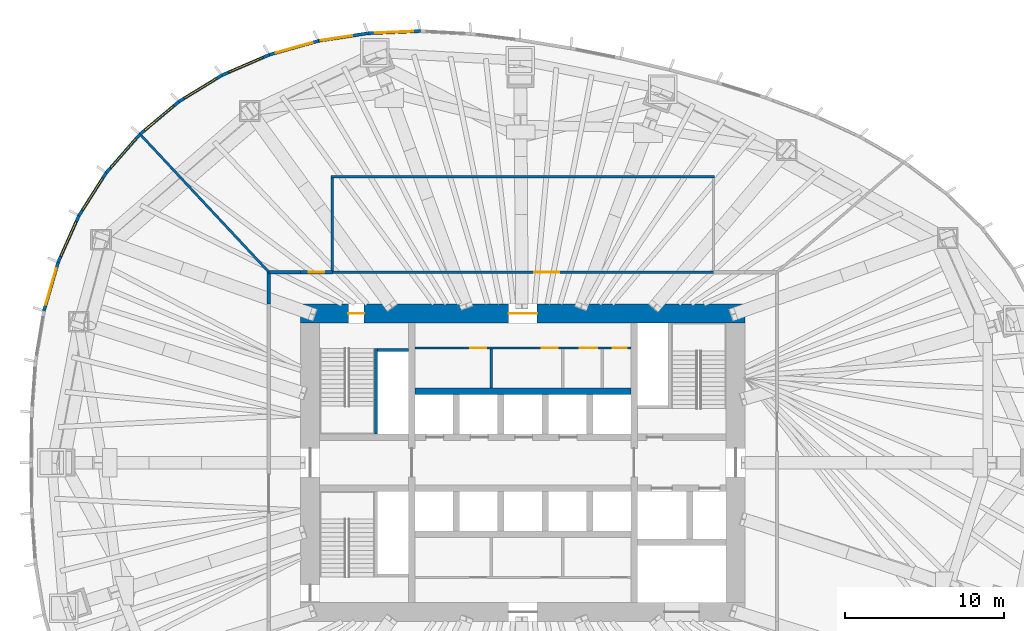
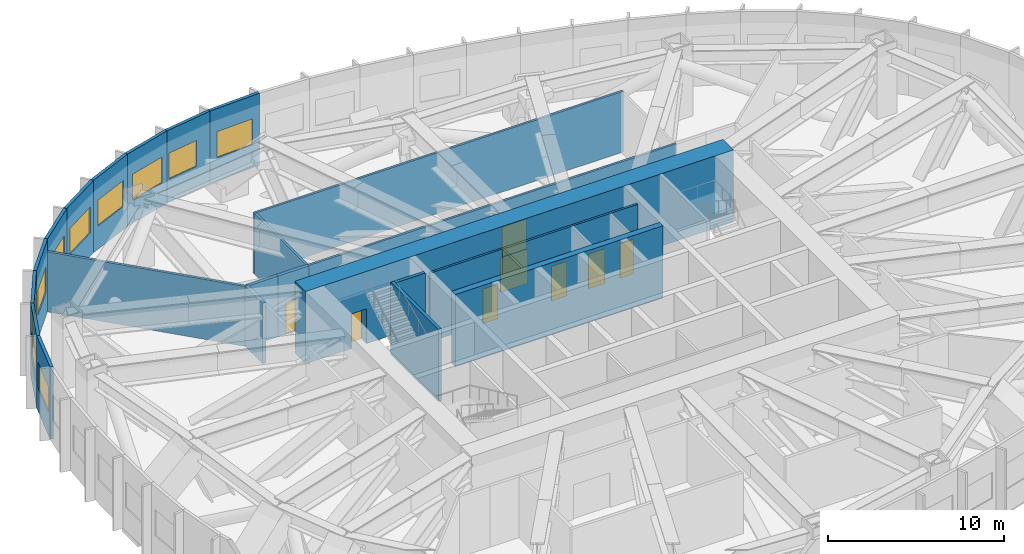
# One storey, part 9 of 12: 23 walls, 10 windows, 8 doors, 18 openings.
"""IFC4 building model written with IfcOpenShell, lengths in metres."""

from ifc_helpers import new_model, si_unit, direction, frame, frame_2d, origin, place, context, subcontext, project, spatial, rectangle, extrude, material, layer, layer_set, type_object, element, fill, save


model = new_model("IFC4")

# Units and contexts
model_context = context("Model", 3, precision=1e-05, world=origin(), true_north=direction((0.0, 1.0)))
body_context = subcontext(model_context, "Body", "Model", "MODEL_VIEW")
ifc_project = project(units=[si_unit("LENGTHUNIT", "METRE"), si_unit("AREAUNIT", "SQUARE_METRE"), si_unit("VOLUMEUNIT", "CUBIC_METRE"), si_unit("PLANEANGLEUNIT", "RADIAN"), si_unit("MASSUNIT", "GRAM", prefix="KILO")], contexts=[model_context])

# Site, building, storey
site_placement = place(None, origin())
site = spatial("IfcSite", under=ifc_project, at=site_placement, CompositionType="ELEMENT")
building_placement = place(site_placement, origin())
building = spatial("IfcBuilding", under=site, at=building_placement, Name="Ghaith Harvest Tower", CompositionType="ELEMENT")
storey_placement = place(building_placement, frame((0.0, 0.0, 100.0)))
storey = spatial("IfcBuildingStorey", under=building, at=storey_placement, Name="L20", CompositionType="ELEMENT", Elevation=100.0)

# Wall, opening, door
ifc_material_1 = material(Name="Concrete blockwork, 1-hour", Category="masonry")
ifc_layer_1 = layer(ifc_material_1, 0.215087890625)
ifc_layer_set_1 = layer_set([ifc_layer_1], Name="BLOCKWORK WALL 215")
wall_type_1 = type_object("IfcWallType", Name="BLOCKWORK WALL 215", PredefinedType="PARTITIONING", material=ifc_layer_set_1)
wall_1_placement = place(storey_placement, frame((-12.0, 12.0, 0.0), z_axis=(0.0, 0.0, 1.0), x_axis=(-1.0, 0.0, 0.0)))
wall_1 = element("IfcWall", 1, at=wall_1_placement, inside=storey, type_object=wall_type_1, Name="Plant room wall L20", PredefinedType="PARTITIONING", context=body_context, shape_type="SweptSolid", body=[
    extrude(rectangle(XDim=2.0, YDim=0.215087890625, at=frame_2d((1.0, 0.0))), origin(), (0.0, 0.0, 1.0), 4.199951171875),
])
opening_1_placement = place(wall_1_placement, frame((0.5, 0.0, 0.0)))
opening_1 = element("IfcOpeningElement", 2, at=opening_1_placement, cuts=wall_1, Name="Opening 20-027", PredefinedType="OPENING", context=body_context, shape_type="SweptSolid", body=[
    extrude(rectangle(XDim=1.0, YDim=2.199951171875, at=frame_2d((0.5, 1.10009765625))), frame((0.0, 0.11767578125, 0.0), z_axis=(0.0, -1.0, 0.0), x_axis=(1.0, 0.0, 0.0)), (0.0, 0.0, 1.0), 0.235107421875),
])
ifc_material_2 = material(Name="Timber door", Category="wood")
door_type_1 = type_object("IfcDoorType", Name="D1 SINGLE 1000x2200", OperationType="SINGLE_SWING_LEFT", PredefinedType="DOOR", material=ifc_material_2)
door_1_placement = place(opening_1_placement, origin())
door_1 = element("IfcDoor", 3, at=door_1_placement, inside=storey, type_object=door_type_1, Name="Air handling plant room north door", OperationType="SINGLE_SWING_LEFT", OverallHeight=2.199951171875, OverallWidth=1.0, PredefinedType="DOOR", context=body_context, shape_type="SweptSolid", body=[
    extrude(rectangle(XDim=1.0, YDim=2.199951171875, at=frame_2d((0.5, 1.10009765625))), frame((0.0, 0.02490234375, 0.0), z_axis=(0.0, -1.0, 0.0), x_axis=(1.0, 0.0, 0.0)), (0.0, 0.0, 1.0), 0.050048828125),
])
fill(opening_1, door_1)

# Walls
for number, where, z_axis, x_axis, name in (
    (4, (-14.0, 12.0, 0.0), (0.0, 0.0, 1.0), (-1.0, 0.0, 0.0), "Plant room wall L20"),
    (5, (-16.0, 12.0, 0.0), (0.0, 0.0, 1.0), (0.0, -1.0, 0.0), "Plant room wall L20"),
):
    element("IfcWall", number, at=place(storey_placement, frame(where, z_axis=z_axis, x_axis=x_axis)), inside=storey, type_object=wall_type_1, Name=name, PredefinedType="PARTITIONING", context=body_context, shape_type="SweptSolid", body=[
        extrude(rectangle(XDim=2.0, YDim=0.215087890625, at=frame_2d((1.0, 0.0))), origin(), (0.0, 0.0, 1.0), 4.199951171875),
    ])

# Wall, openings, doors
ifc_material_3 = material(Name="Concrete blockwork, fair-faced", Category="masonry")
ifc_layer_2 = layer(ifc_material_3, 0.139892578125)
ifc_layer_set_2 = layer_set([ifc_layer_2], Name="CORE PARTITION 140")
wall_type_2 = type_object("IfcWallType", Name="CORE PARTITION 140", PredefinedType="PARTITIONING", material=ifc_layer_set_2)
wall_2_placement = place(storey_placement, frame((-6.800048828125, 7.22998046875, 0.0), z_axis=(0.0, 0.0, 1.0), x_axis=(1.0, 0.0, 0.0)))
wall_2 = element("IfcWall", 6, at=wall_2_placement, inside=storey, type_object=wall_type_2, Name="Core partition L20", PredefinedType="PARTITIONING", context=body_context, shape_type="SweptSolid", body=[
    extrude(rectangle(XDim=13.60009765625, YDim=0.139892578125, at=frame_2d((6.800048828125, 0.0))), origin(), (0.0, 0.0, 1.0), 4.75),
])
opening_2_placement = place(wall_2_placement, frame((3.47998046875, 0.0, 0.0)))
opening_2 = element("IfcOpeningElement", 7, at=opening_2_placement, cuts=wall_2, Name="Opening 20-008", PredefinedType="OPENING", context=body_context, shape_type="SweptSolid", body=[
    extrude(rectangle(XDim=1.0, YDim=2.39990234375, at=frame_2d((0.5, 1.199951171875))), frame((0.0, 0.080078125, 0.0), z_axis=(0.0, -1.0, 0.0), x_axis=(1.0, 0.0, 0.0)), (0.0, 0.0, 1.0), 0.159912109375),
])
opening_3_placement = place(wall_2_placement, frame((7.97998046875, 0.0, 0.0)))
opening_3 = element("IfcOpeningElement", 8, at=opening_3_placement, cuts=wall_2, Name="Opening 20-009", PredefinedType="OPENING", context=body_context, shape_type="SweptSolid", body=[
    extrude(rectangle(XDim=1.0, YDim=2.39990234375, at=frame_2d((0.5, 1.199951171875))), frame((0.0, 0.080078125, 0.0), z_axis=(0.0, -1.0, 0.0), x_axis=(1.0, 0.0, 0.0)), (0.0, 0.0, 1.0), 0.159912109375),
])
opening_4_placement = place(wall_2_placement, frame((10.3798828125, 0.0, 0.0)))
opening_4 = element("IfcOpeningElement", 9, at=opening_4_placement, cuts=wall_2, Name="Opening 20-010", PredefinedType="OPENING", context=body_context, shape_type="SweptSolid", body=[
    extrude(rectangle(XDim=1.10009765625, YDim=2.39990234375, at=frame_2d((0.550048828125, 1.199951171875))), frame((0.0, 0.080078125, 0.0), z_axis=(0.0, -1.0, 0.0), x_axis=(1.0, 0.0, 0.0)), (0.0, 0.0, 1.0), 0.159912109375),
])
opening_5_placement = place(wall_2_placement, frame((12.449951171875, 0.0, 0.0)))
opening_5 = element("IfcOpeningElement", 10, at=opening_5_placement, cuts=wall_2, Name="Opening 20-011", PredefinedType="OPENING", context=body_context, shape_type="SweptSolid", body=[
    extrude(rectangle(XDim=0.89990234375, YDim=2.39990234375, at=frame_2d((0.449951171875, 1.199951171875))), frame((0.0, 0.080078125, 0.0), z_axis=(0.0, -1.0, 0.0), x_axis=(1.0, 0.0, 0.0)), (0.0, 0.0, 1.0), 0.159912109375),
])
ifc_material_4 = material(Name="Steel fire door", Category="steel")
door_type_2 = type_object("IfcDoorType", Name="D3 FD90 1000x2400", OperationType="SINGLE_SWING_LEFT", PredefinedType="DOOR", material=ifc_material_4)
door_2_placement = place(opening_2_placement, origin())
door_2 = element("IfcDoor", 11, at=door_2_placement, inside=storey, type_object=door_type_2, Name="Male WC door", OperationType="SINGLE_SWING_LEFT", OverallHeight=2.39990234375, OverallWidth=1.0, PredefinedType="DOOR", context=body_context, shape_type="SweptSolid", body=[
    extrude(rectangle(XDim=1.0, YDim=2.39990234375, at=frame_2d((0.5, 1.199951171875))), frame((0.0, 0.02490234375, 0.0), z_axis=(0.0, -1.0, 0.0), x_axis=(1.0, 0.0, 0.0)), (0.0, 0.0, 1.0), 0.050048828125),
])
fill(opening_2, door_2)
door_3_placement = place(opening_3_placement, origin())
door_3 = element("IfcDoor", 12, at=door_3_placement, inside=storey, type_object=door_type_2, Name="Female WC door", OperationType="SINGLE_SWING_RIGHT", OverallHeight=2.39990234375, OverallWidth=1.0, PredefinedType="DOOR", context=body_context, shape_type="SweptSolid", body=[
    extrude(rectangle(XDim=1.0, YDim=2.39990234375, at=frame_2d((0.5, 1.199951171875))), frame((0.0, 0.02490234375, 0.0), z_axis=(0.0, -1.0, 0.0), x_axis=(1.0, 0.0, 0.0)), (0.0, 0.0, 1.0), 0.050048828125),
])
fill(opening_3, door_3)
ifc_material_5 = material(Name="Steel fire door", Category="steel")
door_type_3 = type_object("IfcDoorType", Name="D5 FD90 900x2400", OperationType="SINGLE_SWING_LEFT", PredefinedType="DOOR", material=ifc_material_5)
door_4_placement = place(opening_5_placement, origin())
door_4 = element("IfcDoor", 13, at=door_4_placement, inside=storey, type_object=door_type_3, Name="Cleaner's store door", OperationType="SINGLE_SWING_RIGHT", OverallHeight=2.39990234375, OverallWidth=0.89990234375, PredefinedType="DOOR", context=body_context, shape_type="SweptSolid", body=[
    extrude(rectangle(XDim=0.89990234375, YDim=2.39990234375, at=frame_2d((0.449951171875, 1.199951171875))), frame((0.0, 0.02490234375, 0.0), z_axis=(0.0, -1.0, 0.0), x_axis=(1.0, 0.0, 0.0)), (0.0, 0.0, 1.0), 0.050048828125),
])
fill(opening_5, door_4)
ifc_material_6 = material(Name="Steel fire door", Category="steel")
door_type_4 = type_object("IfcDoorType", Name="D9 FD90 1100x2400", OperationType="SINGLE_SWING_LEFT", PredefinedType="DOOR", material=ifc_material_6)
door_5_placement = place(opening_4_placement, origin())
door_5 = element("IfcDoor", 14, at=door_5_placement, inside=storey, type_object=door_type_4, Name="Accessible WC door", OperationType="SINGLE_SWING_RIGHT", OverallHeight=2.39990234375, OverallWidth=1.10009765625, PredefinedType="DOOR", context=body_context, shape_type="SweptSolid", body=[
    extrude(rectangle(XDim=1.10009765625, YDim=2.39990234375, at=frame_2d((0.550048828125, 1.199951171875))), frame((0.0, 0.02490234375, 0.0), z_axis=(0.0, -1.0, 0.0), x_axis=(1.0, 0.0, 0.0)), (0.0, 0.0, 1.0), 0.050048828125),
])
fill(opening_4, door_5)

# Wall
wall_3_placement = place(storey_placement, frame((-2.0, 4.699951171875, 0.0), z_axis=(0.0, 0.0, 1.0), x_axis=(0.0, 1.0, 0.0)))
element("IfcWall", 15, at=wall_3_placement, inside=storey, type_object=wall_type_2, Name="Core partition L20", PredefinedType="PARTITIONING", context=body_context, shape_type="SweptSolid", body=[
    extrude(rectangle(XDim=2.4599609375, YDim=0.139892578125, at=frame_2d((1.22998046875, 0.0))), origin(), (0.0, 0.0, 1.0), 4.75),
])

# Wall, openings, doors
ifc_material_7 = material(Name="Concrete C70/85", Category="concrete")
ifc_layer_3 = layer(ifc_material_7, 1.199951171875)
ifc_layer_set_3 = layer_set([ifc_layer_3], Name="CORE WALL CW1200")
wall_type_3 = type_object("IfcWallType", Name="CORE WALL CW1200", PredefinedType="SHEAR", material=ifc_layer_set_3)
wall_4_placement = place(storey_placement, frame((14.0, 9.39990234375, 0.0), z_axis=(0.0, 0.0, 1.0), x_axis=(-1.0, 0.0, 0.0)))
wall_4 = element("IfcWall", 16, at=wall_4_placement, inside=storey, type_object=wall_type_3, Name="Core wall N L20", PredefinedType="SHEAR", context=body_context, shape_type="SweptSolid", body=[
    extrude(rectangle(XDim=28.0, YDim=1.199951171875, at=frame_2d((14.0, 0.0))), origin(), (0.0, 0.0, 1.0), 5.0),
])
opening_6_placement = place(wall_4_placement, frame((24.0, 0.0, 0.0)))
opening_6 = element("IfcOpeningElement", 17, at=opening_6_placement, cuts=wall_4, Name="Opening 20-005", PredefinedType="OPENING", context=body_context, shape_type="SweptSolid", body=[
    extrude(rectangle(XDim=1.0, YDim=2.39990234375, at=frame_2d((0.5, 1.199951171875))), frame((0.0, 0.60986328125, 0.0), z_axis=(0.0, -1.0, 0.0), x_axis=(1.0, 0.0, 0.0)), (0.0, 0.0, 1.0), 1.219970703125),
])
opening_7_placement = place(wall_4_placement, frame((13.10009765625, 0.0, 0.0)))
opening_7 = element("IfcOpeningElement", 18, at=opening_7_placement, cuts=wall_4, Name="Opening 20-015", PredefinedType="OPENING", context=body_context, shape_type="SweptSolid", body=[
    extrude(rectangle(XDim=1.800048828125, YDim=2.39990234375, at=frame_2d((0.89990234375, 1.199951171875))), frame((0.0, 0.60986328125, 0.0), z_axis=(0.0, -1.0, 0.0), x_axis=(1.0, 0.0, 0.0)), (0.0, 0.0, 1.0), 1.219970703125),
])
door_6_placement = place(opening_6_placement, origin())
door_6 = element("IfcDoor", 19, at=door_6_placement, inside=storey, type_object=door_type_2, Name="Stair ST1 door", OperationType="SINGLE_SWING_RIGHT", OverallHeight=2.39990234375, OverallWidth=1.0, PredefinedType="DOOR", context=body_context, shape_type="SweptSolid", body=[
    extrude(rectangle(XDim=1.0, YDim=2.39990234375, at=frame_2d((0.5, 1.199951171875))), frame((0.0, 0.02490234375, 0.0), z_axis=(0.0, -1.0, 0.0), x_axis=(1.0, 0.0, 0.0)), (0.0, 0.0, 1.0), 0.050048828125),
])
fill(opening_6, door_6)
ifc_material_8 = material(Name="Steel fire door", Category="steel")
door_type_5 = type_object("IfcDoorType", Name="D4 FD90 PAIR 1800x2400", OperationType="DOUBLE_DOOR_SINGLE_SWING", PredefinedType="DOOR", material=ifc_material_8)
door_7_placement = place(opening_7_placement, origin())
door_7 = element("IfcDoor", 20, at=door_7_placement, inside=storey, type_object=door_type_5, Name="Core service corridor doors", OperationType="DOUBLE_DOOR_SINGLE_SWING", OverallHeight=2.39990234375, OverallWidth=1.800048828125, PredefinedType="DOOR", context=body_context, shape_type="SweptSolid", body=[
    extrude(rectangle(XDim=1.800048828125, YDim=2.39990234375, at=frame_2d((0.89990234375, 1.199951171875))), frame((0.0, 0.02490234375, 0.0), z_axis=(0.0, -1.0, 0.0), x_axis=(1.0, 0.0, 0.0)), (0.0, 0.0, 1.0), 0.050048828125),
])
fill(opening_7, door_7)

# Wall, opening, door
ifc_material_9 = material(Name="Gypsum board on steel studs", Category="steel")
ifc_layer_4 = layer(ifc_material_9, 0.14990234375)
ifc_layer_set_4 = layer_set([ifc_layer_4], Name="PARTITION 150")
wall_type_4 = type_object("IfcWallType", Name="PARTITION 150", PredefinedType="PARTITIONING", material=ifc_layer_set_4)
wall_5_placement = place(storey_placement, frame((-12.074951171875, 12.0, 0.0), z_axis=(0.0, 0.0, 1.0), x_axis=(1.0, 0.0, 0.0)))
wall_5 = element("IfcWall", 21, at=wall_5_placement, inside=storey, type_object=wall_type_4, Name="Partition L20-01", PredefinedType="PARTITIONING", context=body_context, shape_type="SweptSolid", body=[
    extrude(rectangle(XDim=24.14990234375, YDim=0.14990234375, at=frame_2d((12.074951171875, 0.0))), origin(), (0.0, 0.0, 1.0), 4.199951171875),
])
opening_8_placement = place(wall_5_placement, frame((12.77490234375, 0.0, 0.0)))
opening_8 = element("IfcOpeningElement", 22, at=opening_8_placement, cuts=wall_5, Name="Opening 20-024", PredefinedType="OPENING", context=body_context, shape_type="SweptSolid", body=[
    extrude(rectangle(XDim=1.60009765625, YDim=2.39990234375, at=frame_2d((0.800048828125, 1.199951171875))), frame((0.0, 0.0849609375, 0.0), z_axis=(0.0, -1.0, 0.0), x_axis=(1.0, 0.0, 0.0)), (0.0, 0.0, 1.0), 0.169921875),
])
ifc_material_10 = material(Name="Timber door", Category="wood")
door_type_6 = type_object("IfcDoorType", Name="D2 PAIR 1600x2400", OperationType="DOUBLE_DOOR_SINGLE_SWING", PredefinedType="DOOR", material=ifc_material_10)
door_8_placement = place(opening_8_placement, origin())
door_8 = element("IfcDoor", 23, at=door_8_placement, inside=storey, type_object=door_type_6, Name="Refuge area door", OperationType="DOUBLE_DOOR_SINGLE_SWING", OverallHeight=2.39990234375, OverallWidth=1.60009765625, PredefinedType="DOOR", context=body_context, shape_type="SweptSolid", body=[
    extrude(rectangle(XDim=1.60009765625, YDim=2.39990234375, at=frame_2d((0.800048828125, 1.199951171875))), frame((0.0, 0.02490234375, 0.0), z_axis=(0.0, -1.0, 0.0), x_axis=(1.0, 0.0, 0.0)), (0.0, 0.0, 1.0), 0.050048828125),
])
fill(opening_8, door_8)

# Walls
wall_6_placement = place(storey_placement, frame((-12.074951171875, 18.0, 0.0), z_axis=(0.0, 0.0, 1.0), x_axis=(1.0, 0.0, 0.0)))
element("IfcWall", 24, at=wall_6_placement, inside=storey, type_object=wall_type_4, Name="Partition L20-01", PredefinedType="PARTITIONING", context=body_context, shape_type="SweptSolid", body=[
    extrude(rectangle(XDim=24.14990234375, YDim=0.14990234375, at=frame_2d((12.074951171875, 0.0))), origin(), (0.0, 0.0, 1.0), 4.199951171875),
])
wall_7_placement = place(storey_placement, frame((-12.0, 12.074951171875, 0.0), z_axis=(0.0, 0.0, 1.0), x_axis=(0.0, 1.0, 0.0)))
element("IfcWall", 25, at=wall_7_placement, inside=storey, type_object=wall_type_4, Name="Partition L20-01", PredefinedType="PARTITIONING", context=body_context, shape_type="SweptSolid", body=[
    extrude(rectangle(XDim=5.85009765625, YDim=0.14990234375, at=frame_2d((2.925048828125, 0.0))), origin(), (0.0, 0.0, 1.0), 4.199951171875),
])
ifc_material_11 = material(Name="Gypsum board on steel studs", Category="steel")
ifc_layer_5 = layer(ifc_material_11, 0.14990234375)
ifc_layer_set_5 = layer_set([ifc_layer_5], Name="PARTITION 150H")
wall_type_5 = type_object("IfcWallType", Name="PARTITION 150H", PredefinedType="PARTITIONING", material=ifc_layer_set_5)
wall_8_placement = place(storey_placement, frame((-16.013671875, 12.0146484375, 0.0), z_axis=(0.0, 0.0, 1.0), x_axis=(-0.682522513656, 0.730864569091, 0.0)))
element("IfcWall", 26, at=wall_8_placement, inside=storey, type_object=wall_type_5, Name="Partition L20 zone division", PredefinedType="PARTITIONING", context=body_context, shape_type="SweptSolid", body=[
    extrude(rectangle(XDim=11.751953125, YDim=0.14990234375, at=frame_2d((5.8759765625, 0.0))), origin(), (0.0, 0.0, 1.0), 4.14599609375),
])

# Wall, opening, window
ifc_material_12 = material(Name="Steel, black insulated metal cladding panel", Category="steel")
ifc_layer_6 = layer(ifc_material_12, 0.199951171875)
ifc_layer_set_6 = layer_set([ifc_layer_6], Name="PLANT ENCLOSURE WALL 200")
wall_type_6 = type_object("IfcWallType", Name="PLANT ENCLOSURE WALL 200", PredefinedType="SOLIDWALL", material=ifc_layer_set_6)
wall_9_placement = place(storey_placement, frame((-6.460693359375, 27.182373046875, 0.0), z_axis=(0.0, 0.0, 1.0), x_axis=(-0.999125000508, -0.041823837231, 0.0)))
wall_9 = element("IfcWall", 27, at=wall_9_placement, inside=storey, type_object=wall_type_6, Name="Plant enclosure wall 06.3 L20", PredefinedType="SOLIDWALL", context=body_context, shape_type="SweptSolid", body=[
    extrude(rectangle(XDim=3.309814453125, YDim=0.199951171875, at=frame_2d((1.65478515625, 0.0))), origin(), (0.0, 0.0, 1.0), 5.0),
])
opening_9_placement = place(wall_9_placement, frame((0.455078125, 0.0, 1.60009765625)))
opening_9 = element("IfcOpeningElement", 28, at=opening_9_placement, cuts=wall_9, Name="Opening LV1", PredefinedType="OPENING", context=body_context, shape_type="SweptSolid", body=[
    extrude(rectangle(XDim=2.39990234375, YDim=1.800048828125, at=frame_2d((1.199951171875, 0.89990234375))), frame((0.0, 0.10986328125, 0.0), z_axis=(0.0, -1.0, 0.0), x_axis=(1.0, 0.0, 0.0)), (0.0, 0.0, 1.0), 0.219970703125),
])
ifc_material_13 = material(Name="Aluminium louvre, black", Category="aluminium")
window_type_1 = type_object("IfcWindowType", Name="LOUVRE L1 2400x1800", PartitioningType="SINGLE_PANEL", PredefinedType="WINDOW", material=ifc_material_13)
window_1_placement = place(opening_9_placement, origin())
window_1 = element("IfcWindow", 29, at=window_1_placement, inside=storey, type_object=window_type_1, Name="Plant louvre 06.3 L20", OverallHeight=1.800048828125, OverallWidth=2.39990234375, PartitioningType="SINGLE_PANEL", PredefinedType="WINDOW", context=body_context, shape_type="SweptSolid", body=[
    extrude(rectangle(XDim=2.39990234375, YDim=1.800048828125, at=frame_2d((1.199951171875, 0.89990234375))), frame((0.0, 0.030029296875, 0.0), z_axis=(0.0, -1.0, 0.0), x_axis=(1.0, 0.0, 0.0)), (0.0, 0.0, 1.0), 0.06005859375),
])
fill(opening_9, window_1)

wall_10_placement = place(storey_placement, frame((-9.767578125, 27.0439453125, 0.0), z_axis=(0.0, 0.0, 1.0), x_axis=(-0.988396846799, -0.151893624746, 0.0)))
wall_10 = element("IfcWall", 30, at=wall_10_placement, inside=storey, type_object=wall_type_6, Name="Plant enclosure wall 07.1 L20", PredefinedType="SOLIDWALL", context=body_context, shape_type="SweptSolid", body=[
    extrude(rectangle(XDim=3.140625, YDim=0.199951171875, at=frame_2d((1.5703125, 0.0))), origin(), (0.0, 0.0, 1.0), 5.0),
])
opening_10_placement = place(wall_10_placement, frame((0.986572265625, 0.0, 1.60009765625)))
opening_10 = element("IfcOpeningElement", 31, at=opening_10_placement, cuts=wall_10, Name="Opening LV2", PredefinedType="OPENING", context=body_context, shape_type="SweptSolid", body=[
    extrude(rectangle(XDim=2.0, YDim=1.800048828125, at=frame_2d((1.0, 0.89990234375))), frame((0.0, 0.10986328125, 0.0), z_axis=(0.0, -1.0, 0.0), x_axis=(1.0, 0.0, 0.0)), (0.0, 0.0, 1.0), 0.219970703125),
])
ifc_material_14 = material(Name="Aluminium louvre, black", Category="aluminium")
window_type_2 = type_object("IfcWindowType", Name="LOUVRE L2 2000x1800", PartitioningType="SINGLE_PANEL", PredefinedType="WINDOW", material=ifc_material_14)
window_2_placement = place(opening_10_placement, origin())
window_2 = element("IfcWindow", 32, at=window_2_placement, inside=storey, type_object=window_type_2, Name="Plant louvre 07.1 L20", OverallHeight=1.800048828125, OverallWidth=2.0, PartitioningType="SINGLE_PANEL", PredefinedType="WINDOW", context=body_context, shape_type="SweptSolid", body=[
    extrude(rectangle(XDim=2.0, YDim=1.800048828125, at=frame_2d((1.0, 0.89990234375))), frame((0.0, 0.030029296875, 0.0), z_axis=(0.0, -1.0, 0.0), x_axis=(1.0, 0.0, 0.0)), (0.0, 0.0, 1.0), 0.06005859375),
])
fill(opening_10, window_2)

wall_11_placement = place(storey_placement, frame((-12.871826171875, 26.56689453125, 0.0), z_axis=(0.0, 0.0, 1.0), x_axis=(-0.962777273016, -0.270295990654, 0.0)))
wall_11 = element("IfcWall", 33, at=wall_11_placement, inside=storey, type_object=wall_type_6, Name="Plant enclosure wall 07.2 L20", PredefinedType="SOLIDWALL", context=body_context, shape_type="SweptSolid", body=[
    extrude(rectangle(XDim=3.208251953125, YDim=0.199951171875, at=frame_2d((1.60400390625, 0.0))), origin(), (0.0, 0.0, 1.0), 5.0),
])
opening_11_placement = place(wall_11_placement, frame((0.404296875, 0.0, 1.60009765625)))
opening_11 = element("IfcOpeningElement", 34, at=opening_11_placement, cuts=wall_11, Name="Opening LV1", PredefinedType="OPENING", context=body_context, shape_type="SweptSolid", body=[
    extrude(rectangle(XDim=2.39990234375, YDim=1.800048828125, at=frame_2d((1.199951171875, 0.89990234375))), frame((0.0, 0.10986328125, 0.0), z_axis=(0.0, -1.0, 0.0), x_axis=(1.0, 0.0, 0.0)), (0.0, 0.0, 1.0), 0.219970703125),
])
window_3_placement = place(opening_11_placement, origin())
window_3 = element("IfcWindow", 35, at=window_3_placement, inside=storey, type_object=window_type_1, Name="Plant louvre 07.2 L20", OverallHeight=1.800048828125, OverallWidth=2.39990234375, PartitioningType="SINGLE_PANEL", PredefinedType="WINDOW", context=body_context, shape_type="SweptSolid", body=[
    extrude(rectangle(XDim=2.39990234375, YDim=1.800048828125, at=frame_2d((1.199951171875, 0.89990234375))), frame((0.0, 0.030029296875, 0.0), z_axis=(0.0, -1.0, 0.0), x_axis=(1.0, 0.0, 0.0)), (0.0, 0.0, 1.0), 0.06005859375),
])
fill(opening_11, window_3)

wall_12_placement = place(storey_placement, frame((-15.960693359375, 25.69970703125, 0.0), z_axis=(0.0, 0.0, 1.0), x_axis=(-0.918030153112, -0.396510577384, 0.0)))
wall_12 = element("IfcWall", 36, at=wall_12_placement, inside=storey, type_object=wall_type_6, Name="Plant enclosure wall 07.3 L20", PredefinedType="SOLIDWALL", context=body_context, shape_type="SweptSolid", body=[
    extrude(rectangle(XDim=3.261474609375, YDim=0.199951171875, at=frame_2d((1.630859375, 0.0))), origin(), (0.0, 0.0, 1.0), 5.0),
])
opening_12_placement = place(wall_12_placement, frame((0.430908203125, 0.0, 1.60009765625)))
opening_12 = element("IfcOpeningElement", 37, at=opening_12_placement, cuts=wall_12, Name="Opening LV1", PredefinedType="OPENING", context=body_context, shape_type="SweptSolid", body=[
    extrude(rectangle(XDim=2.39990234375, YDim=1.800048828125, at=frame_2d((1.199951171875, 0.89990234375))), frame((0.0, 0.10986328125, 0.0), z_axis=(0.0, -1.0, 0.0), x_axis=(1.0, 0.0, 0.0)), (0.0, 0.0, 1.0), 0.219970703125),
])
window_4_placement = place(opening_12_placement, origin())
window_4 = element("IfcWindow", 38, at=window_4_placement, inside=storey, type_object=window_type_1, Name="Plant louvre 07.3 L20", OverallHeight=1.800048828125, OverallWidth=2.39990234375, PartitioningType="SINGLE_PANEL", PredefinedType="WINDOW", context=body_context, shape_type="SweptSolid", body=[
    extrude(rectangle(XDim=2.39990234375, YDim=1.800048828125, at=frame_2d((1.199951171875, 0.89990234375))), frame((0.0, 0.030029296875, 0.0), z_axis=(0.0, -1.0, 0.0), x_axis=(1.0, 0.0, 0.0)), (0.0, 0.0, 1.0), 0.06005859375),
])
fill(opening_12, window_4)

wall_13_placement = place(storey_placement, frame((-18.954833984375, 24.406494140625, 0.0), z_axis=(0.0, 0.0, 1.0), x_axis=(-0.85260786828, -0.522551263462, 0.0)))
wall_13 = element("IfcWall", 39, at=wall_13_placement, inside=storey, type_object=wall_type_6, Name="Plant enclosure wall 08.1 L20", PredefinedType="SOLIDWALL", context=body_context, shape_type="SweptSolid", body=[
    extrude(rectangle(XDim=3.18212890625, YDim=0.199951171875, at=frame_2d((1.591064453125, 0.0))), origin(), (0.0, 0.0, 1.0), 5.0),
])
opening_13_placement = place(wall_13_placement, frame((0.39111328125, 0.0, 1.60009765625)))
opening_13 = element("IfcOpeningElement", 40, at=opening_13_placement, cuts=wall_13, Name="Opening LV1", PredefinedType="OPENING", context=body_context, shape_type="SweptSolid", body=[
    extrude(rectangle(XDim=2.39990234375, YDim=1.800048828125, at=frame_2d((1.199951171875, 0.89990234375))), frame((0.0, 0.10986328125, 0.0), z_axis=(0.0, -1.0, 0.0), x_axis=(1.0, 0.0, 0.0)), (0.0, 0.0, 1.0), 0.219970703125),
])
window_5_placement = place(opening_13_placement, origin())
window_5 = element("IfcWindow", 41, at=window_5_placement, inside=storey, type_object=window_type_1, Name="Plant louvre 08.1 L20", OverallHeight=1.800048828125, OverallWidth=2.39990234375, PartitioningType="SINGLE_PANEL", PredefinedType="WINDOW", context=body_context, shape_type="SweptSolid", body=[
    extrude(rectangle(XDim=2.39990234375, YDim=1.800048828125, at=frame_2d((1.199951171875, 0.89990234375))), frame((0.0, 0.030029296875, 0.0), z_axis=(0.0, -1.0, 0.0), x_axis=(1.0, 0.0, 0.0)), (0.0, 0.0, 1.0), 0.06005859375),
])
fill(opening_13, window_5)

wall_14_placement = place(storey_placement, frame((-21.66796875, 22.74365234375, 0.0), z_axis=(0.0, 0.0, 1.0), x_axis=(-0.766201219495, -0.64260072459, 0.0)))
wall_14 = element("IfcWall", 42, at=wall_14_placement, inside=storey, type_object=wall_type_6, Name="Plant enclosure wall 08.2 L20", PredefinedType="SOLIDWALL", context=body_context, shape_type="SweptSolid", body=[
    extrude(rectangle(XDim=3.205810546875, YDim=0.199951171875, at=frame_2d((1.60302734375, 0.0))), origin(), (0.0, 0.0, 1.0), 5.0),
])
opening_14_placement = place(wall_14_placement, frame((0.40283203125, 0.0, 1.60009765625)))
opening_14 = element("IfcOpeningElement", 43, at=opening_14_placement, cuts=wall_14, Name="Opening LV1", PredefinedType="OPENING", context=body_context, shape_type="SweptSolid", body=[
    extrude(rectangle(XDim=2.39990234375, YDim=1.800048828125, at=frame_2d((1.199951171875, 0.89990234375))), frame((0.0, 0.10986328125, 0.0), z_axis=(0.0, -1.0, 0.0), x_axis=(1.0, 0.0, 0.0)), (0.0, 0.0, 1.0), 0.219970703125),
])
window_6_placement = place(opening_14_placement, origin())
window_6 = element("IfcWindow", 44, at=window_6_placement, inside=storey, type_object=window_type_1, Name="Plant louvre 08.2 L20", OverallHeight=1.800048828125, OverallWidth=2.39990234375, PartitioningType="SINGLE_PANEL", PredefinedType="WINDOW", context=body_context, shape_type="SweptSolid", body=[
    extrude(rectangle(XDim=2.39990234375, YDim=1.800048828125, at=frame_2d((1.199951171875, 0.89990234375))), frame((0.0, 0.030029296875, 0.0), z_axis=(0.0, -1.0, 0.0), x_axis=(1.0, 0.0, 0.0)), (0.0, 0.0, 1.0), 0.06005859375),
])
fill(opening_14, window_6)

wall_15_placement = place(storey_placement, frame((-24.124267578125, 20.68359375, 0.0), z_axis=(0.0, 0.0, 1.0), x_axis=(-0.659255857284, -0.751918688846, 0.0)))
wall_15 = element("IfcWall", 45, at=wall_15_placement, inside=storey, type_object=wall_type_6, Name="Plant enclosure wall 08.3 L20", PredefinedType="SOLIDWALL", context=body_context, shape_type="SweptSolid", body=[
    extrude(rectangle(XDim=3.2197265625, YDim=0.199951171875, at=frame_2d((1.60986328125, 0.0))), origin(), (0.0, 0.0, 1.0), 5.0),
])
opening_15_placement = place(wall_15_placement, frame((0.409912109375, 0.0, 1.60009765625)))
opening_15 = element("IfcOpeningElement", 46, at=opening_15_placement, cuts=wall_15, Name="Opening LV1", PredefinedType="OPENING", context=body_context, shape_type="SweptSolid", body=[
    extrude(rectangle(XDim=2.39990234375, YDim=1.800048828125, at=frame_2d((1.199951171875, 0.89990234375))), frame((0.0, 0.10986328125, 0.0), z_axis=(0.0, -1.0, 0.0), x_axis=(1.0, 0.0, 0.0)), (0.0, 0.0, 1.0), 0.219970703125),
])
window_7_placement = place(opening_15_placement, origin())
window_7 = element("IfcWindow", 47, at=window_7_placement, inside=storey, type_object=window_type_1, Name="Plant louvre 08.3 L20", OverallHeight=1.800048828125, OverallWidth=2.39990234375, PartitioningType="SINGLE_PANEL", PredefinedType="WINDOW", context=body_context, shape_type="SweptSolid", body=[
    extrude(rectangle(XDim=2.39990234375, YDim=1.800048828125, at=frame_2d((1.199951171875, 0.89990234375))), frame((0.0, 0.030029296875, 0.0), z_axis=(0.0, -1.0, 0.0), x_axis=(1.0, 0.0, 0.0)), (0.0, 0.0, 1.0), 0.06005859375),
])
fill(opening_15, window_7)

wall_16_placement = place(storey_placement, frame((-26.246826171875, 18.2626953125, 0.0), z_axis=(0.0, 0.0, 1.0), x_axis=(-0.536767165703, -0.843730413001, 0.0)))
wall_16 = element("IfcWall", 48, at=wall_16_placement, inside=storey, type_object=wall_type_6, Name="Plant enclosure wall 09.1 L20", PredefinedType="SOLIDWALL", context=body_context, shape_type="SweptSolid", body=[
    extrude(rectangle(XDim=3.20849609375, YDim=0.199951171875, at=frame_2d((1.604248046875, 0.0))), origin(), (0.0, 0.0, 1.0), 5.0),
])
opening_16_placement = place(wall_16_placement, frame((0.404296875, 0.0, 1.60009765625)))
opening_16 = element("IfcOpeningElement", 49, at=opening_16_placement, cuts=wall_16, Name="Opening LV1", PredefinedType="OPENING", context=body_context, shape_type="SweptSolid", body=[
    extrude(rectangle(XDim=2.39990234375, YDim=1.800048828125, at=frame_2d((1.199951171875, 0.89990234375))), frame((0.0, 0.10986328125, 0.0), z_axis=(0.0, -1.0, 0.0), x_axis=(1.0, 0.0, 0.0)), (0.0, 0.0, 1.0), 0.219970703125),
])
window_8_placement = place(opening_16_placement, origin())
window_8 = element("IfcWindow", 50, at=window_8_placement, inside=storey, type_object=window_type_1, Name="Plant louvre 09.1 L20", OverallHeight=1.800048828125, OverallWidth=2.39990234375, PartitioningType="SINGLE_PANEL", PredefinedType="WINDOW", context=body_context, shape_type="SweptSolid", body=[
    extrude(rectangle(XDim=2.39990234375, YDim=1.800048828125, at=frame_2d((1.199951171875, 0.89990234375))), frame((0.0, 0.030029296875, 0.0), z_axis=(0.0, -1.0, 0.0), x_axis=(1.0, 0.0, 0.0)), (0.0, 0.0, 1.0), 0.06005859375),
])
fill(opening_16, window_8)

wall_17_placement = place(storey_placement, frame((-27.968994140625, 15.5556640625, 0.0), z_axis=(0.0, 0.0, 1.0), x_axis=(-0.407113305764, -0.913377663549, 0.0)))
wall_17 = element("IfcWall", 51, at=wall_17_placement, inside=storey, type_object=wall_type_6, Name="Plant enclosure wall 09.2 L20", PredefinedType="SOLIDWALL", context=body_context, shape_type="SweptSolid", body=[
    extrude(rectangle(XDim=3.205810546875, YDim=0.199951171875, at=frame_2d((1.60302734375, 0.0))), origin(), (0.0, 0.0, 1.0), 5.0),
])
opening_17_placement = place(wall_17_placement, frame((0.403076171875, 0.0, 1.60009765625)))
opening_17 = element("IfcOpeningElement", 52, at=opening_17_placement, cuts=wall_17, Name="Opening LV1", PredefinedType="OPENING", context=body_context, shape_type="SweptSolid", body=[
    extrude(rectangle(XDim=2.39990234375, YDim=1.800048828125, at=frame_2d((1.199951171875, 0.89990234375))), frame((0.0, 0.10986328125, 0.0), z_axis=(0.0, -1.0, 0.0), x_axis=(1.0, 0.0, 0.0)), (0.0, 0.0, 1.0), 0.219970703125),
])
window_9_placement = place(opening_17_placement, origin())
window_9 = element("IfcWindow", 53, at=window_9_placement, inside=storey, type_object=window_type_1, Name="Plant louvre 09.2 L20", OverallHeight=1.800048828125, OverallWidth=2.39990234375, PartitioningType="SINGLE_PANEL", PredefinedType="WINDOW", context=body_context, shape_type="SweptSolid", body=[
    extrude(rectangle(XDim=2.39990234375, YDim=1.800048828125, at=frame_2d((1.199951171875, 0.89990234375))), frame((0.0, 0.030029296875, 0.0), z_axis=(0.0, -1.0, 0.0), x_axis=(1.0, 0.0, 0.0)), (0.0, 0.0, 1.0), 0.06005859375),
])
fill(opening_17, window_9)

wall_18_placement = place(storey_placement, frame((-29.274169921875, 12.62744140625, 0.0), z_axis=(0.0, 0.0, 1.0), x_axis=(-0.280208384057, -0.959939196774, 0.0)))
wall_18 = element("IfcWall", 54, at=wall_18_placement, inside=storey, type_object=wall_type_6, Name="Plant enclosure wall 09.3 L20", PredefinedType="SOLIDWALL", context=body_context, shape_type="SweptSolid", body=[
    extrude(rectangle(XDim=3.194091796875, YDim=0.199951171875, at=frame_2d((1.59716796875, 0.0))), origin(), (0.0, 0.0, 1.0), 5.0),
])
opening_18_placement = place(wall_18_placement, frame((0.397216796875, 0.0, 1.60009765625)))
opening_18 = element("IfcOpeningElement", 55, at=opening_18_placement, cuts=wall_18, Name="Opening LV1", PredefinedType="OPENING", context=body_context, shape_type="SweptSolid", body=[
    extrude(rectangle(XDim=2.39990234375, YDim=1.800048828125, at=frame_2d((1.199951171875, 0.89990234375))), frame((0.0, 0.10986328125, 0.0), z_axis=(0.0, -1.0, 0.0), x_axis=(1.0, 0.0, 0.0)), (0.0, 0.0, 1.0), 0.219970703125),
])
window_10_placement = place(opening_18_placement, origin())
window_10 = element("IfcWindow", 56, at=window_10_placement, inside=storey, type_object=window_type_1, Name="Plant louvre 09.3 L20", OverallHeight=1.800048828125, OverallWidth=2.39990234375, PartitioningType="SINGLE_PANEL", PredefinedType="WINDOW", context=body_context, shape_type="SweptSolid", body=[
    extrude(rectangle(XDim=2.39990234375, YDim=1.800048828125, at=frame_2d((1.199951171875, 0.89990234375))), frame((0.0, 0.030029296875, 0.0), z_axis=(0.0, -1.0, 0.0), x_axis=(1.0, 0.0, 0.0)), (0.0, 0.0, 1.0), 0.06005859375),
])
fill(opening_18, window_10)

# Walls
ifc_material_15 = material(Name="Concrete C70/85", Category="concrete")
ifc_layer_7 = layer(ifc_material_15, 0.39990234375)
ifc_layer_set_7 = layer_set([ifc_layer_7], Name="SHAFT WALL 400")
wall_type_7 = type_object("IfcWallType", Name="SHAFT WALL 400", PredefinedType="SHEAR", material=ifc_layer_set_7)
wall_19_placement = place(storey_placement, frame((-6.800048828125, 4.5, 0.0), z_axis=(0.0, 0.0, 1.0), x_axis=(1.0, 0.0, 0.0)))
element("IfcWall", 57, at=wall_19_placement, inside=storey, type_object=wall_type_7, Name="Shaft wall BN L20", PredefinedType="SHEAR", context=body_context, shape_type="SweptSolid", body=[
    extrude(rectangle(XDim=13.60009765625, YDim=0.39990234375, at=frame_2d((6.800048828125, 0.0))), origin(), (0.0, 0.0, 1.0), 5.0),
])
ifc_material_16 = material(Name="Concrete C40/50", Category="concrete")
ifc_layer_8 = layer(ifc_material_16, 0.199951171875)
ifc_layer_set_8 = layer_set([ifc_layer_8], Name="STAIR SPINE WALL RC200")
wall_type_8 = type_object("IfcWallType", Name="STAIR SPINE WALL RC200", PredefinedType="SOLIDWALL", material=ifc_layer_set_8)
wall_20_placement = place(storey_placement, frame((-9.25, 7.199951171875, 0.0), z_axis=(0.0, 0.0, 1.0), x_axis=(0.0, -1.0, 0.0)))
element("IfcWall", 58, at=wall_20_placement, inside=storey, type_object=wall_type_8, Name="Stair ST1 spine wall L20", PredefinedType="SOLIDWALL", context=body_context, shape_type="SweptSolid", body=[
    extrude(rectangle(XDim=5.39990234375, YDim=0.199951171875, at=frame_2d((2.699951171875, 0.0))), origin(), (0.0, 0.0, 1.0), 5.0),
])
wall_21_placement = place(storey_placement, frame((-9.14990234375, 7.10009765625, 0.0), z_axis=(0.0, 0.0, 1.0), x_axis=(1.0, 0.0, 0.0)))
element("IfcWall", 59, at=wall_21_placement, inside=storey, type_object=wall_type_8, Name="Stair ST1 spine wall return L20", PredefinedType="SOLIDWALL", context=body_context, shape_type="SweptSolid", body=[
    extrude(rectangle(XDim=1.949951171875, YDim=0.199951171875, at=frame_2d((0.97509765625, 0.0))), origin(), (0.0, 0.0, 1.0), 5.0),
])

save(model, "model.ifc")
